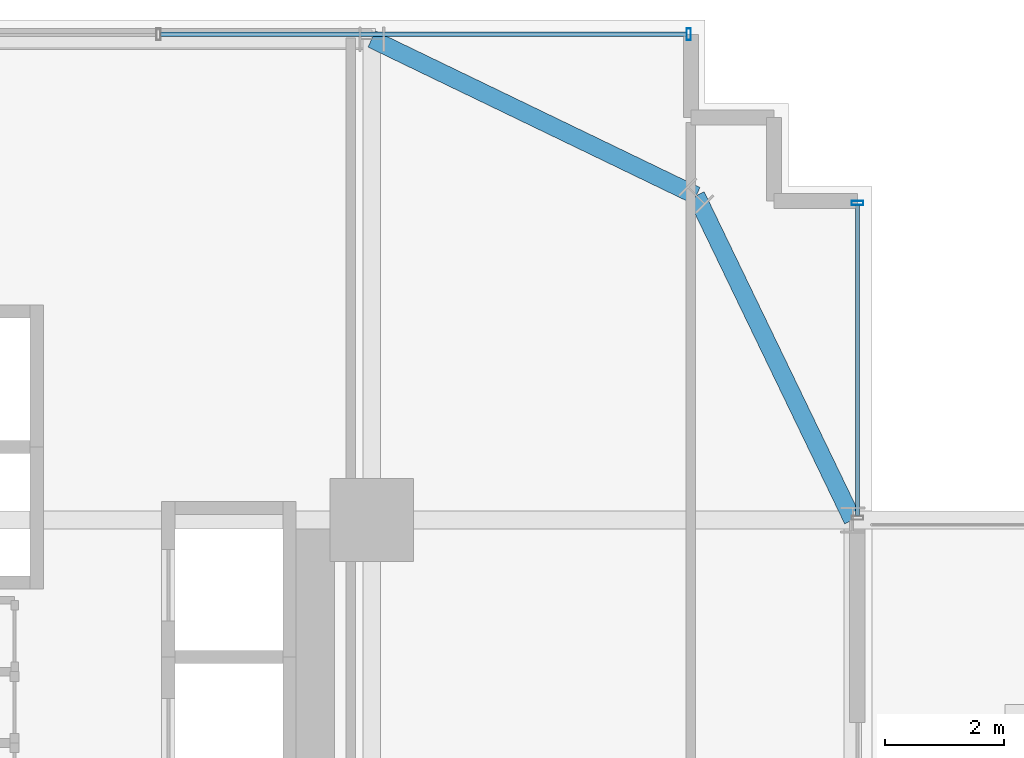
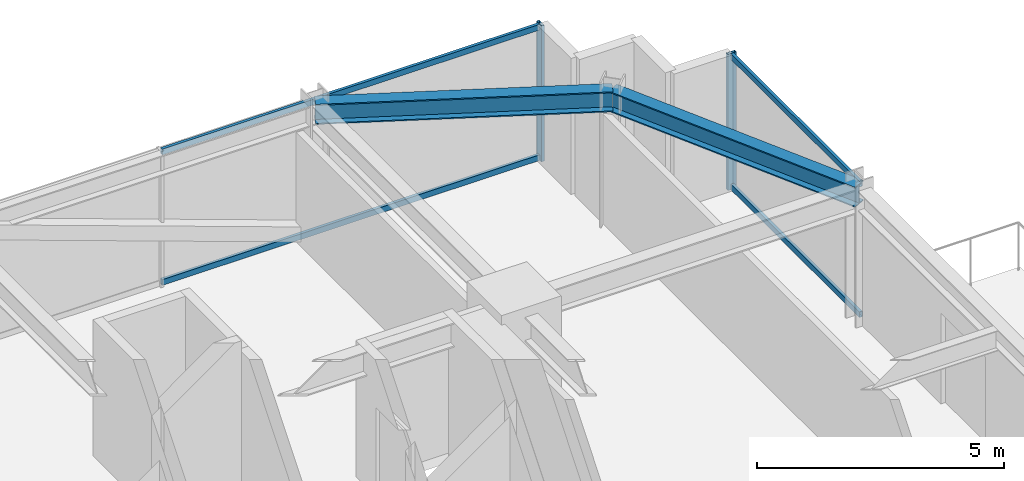
# One storey, part 27 of 35: 6 members, 2 beams, 2 elements without a shape of their own.
"""IFC4 building model written with IfcOpenShell, lengths in metres."""

from ifc_helpers import new_model, si_unit, direction, frame, origin, origin_2d, place, context, subcontext, project, spatial, hollow_rectangle, i_section, extrude, source, transform, mapped, material, material_profile, profile_set, type_object, element, aggregate, save


model = new_model("IFC4")

# Units and contexts
model_context = context("Model", 3, precision=1e-05, world=origin(), true_north=direction((0.0, 1.0)))
body_context = subcontext(model_context, "Body", "Model", "MODEL_VIEW")
ifc_project = project(units=[si_unit("LENGTHUNIT", "METRE"), si_unit("AREAUNIT", "SQUARE_METRE"), si_unit("VOLUMEUNIT", "CUBIC_METRE"), si_unit("PLANEANGLEUNIT", "RADIAN"), si_unit("MASSUNIT", "GRAM", prefix="KILO")], contexts=[model_context])

# Site, building, storey
site_placement = place(None, origin())
site = spatial("IfcSite", under=ifc_project, at=site_placement, CompositionType="ELEMENT")
building_placement = place(site_placement, origin())
building = spatial("IfcBuilding", under=site, at=building_placement, Name="Nahalor Promenade Grand Hotel", CompositionType="ELEMENT")
storey_placement = place(building_placement, frame((0.0, 0.0, 43.35009765625)))
storey = spatial("IfcBuildingStorey", under=building, at=storey_placement, Name="L09", CompositionType="ELEMENT", Elevation=43.35009765625)

# Beams
ifc_material_1 = material(Name="Steel S355JR", Category="steel")
ifc_material_profile_1 = material_profile(ifc_material_1, i_section(OverallWidth=0.3, OverallDepth=0.5, WebThickness=0.0145, FlangeThickness=0.028, at=origin_2d()), Name="HEB 500")
ifc_profile_set_1 = profile_set([ifc_material_profile_1], Name="Steel S355JR")
beam_type = type_object("IfcBeamType", Name="Beam-Spandrel-HEB500", PredefinedType="SPANDREL", material=ifc_profile_set_1)
shared_shape_1 = source(origin(), body_context, "Body", "SweptSolid", [
    extrude(i_section(OverallWidth=0.3, OverallDepth=0.5, WebThickness=0.0145, FlangeThickness=0.028, at=origin_2d()), origin(), (0.0, 0.0, 1.0), 6.051513671875),
])
for number, where, z_axis, x_axis, name in (
    (1, (17.0, 25.080078125, 3.119873046875), (0.900608818852, -0.434630596492, 0.0), (0.434630596492, 0.900608818852, 0.0), "BM-L09-SPC-NE-1"),
    (2, (22.449951171875, 22.449951171875, 3.119873046875), (0.434630596492, -0.900608818852, 0.0), (0.900608818852, 0.434630596492, 0.0), "BM-L09-SPC-NE-2"),
):
    element("IfcBeam", number, at=place(storey_placement, frame(where, z_axis=z_axis, x_axis=x_axis)), inside=storey, type_object=beam_type, Name=name, PredefinedType="SPANDREL", context=body_context, shape_type="MappedRepresentation", body=[
        mapped(shared_shape_1, transform((0.0, 0.0, 0.0), scale=1.0)),
    ])

# Curtain wall, member
ifc_material_2 = material(Name="Anodised Bronze Aluminium EN AW-6063 T6", Category="aluminium")
curtain_wall_type = type_object("IfcCurtainWallType", Name="CW3 Elliptical-Void Collar Unitised Curtain Wall", PredefinedType="USERDEFINED", material=ifc_material_2)
curtain_wall_1_placement = place(storey_placement, origin())
curtain_wall_1 = element("IfcCurtainWall", 3, at=curtain_wall_1_placement, inside=storey, type_object=curtain_wall_type, Name="L09 Curtain Wall CW-L09-N-1", ObjectType="UNITISED_CURTAIN_WALL", PredefinedType="USERDEFINED")
ifc_material_profile_2 = material_profile(ifc_material_2, hollow_rectangle(XDim=0.07, YDim=0.2, WallThickness=0.005, at=origin_2d()), Name="CWM 70x200x5")
ifc_profile_set_2 = profile_set([ifc_material_profile_2], Name="Anodised Bronze Aluminium EN AW-6063 T6")
member_type_1 = type_object("IfcMemberType", Name="CWM3 Void Collar Mullion 70x200", PredefinedType="MULLION", material=ifc_profile_set_2)
shared_shape_2 = source(origin(), body_context, "Body", "SweptSolid", [
    extrude(hollow_rectangle(XDim=0.07, YDim=0.2, WallThickness=0.005, at=origin_2d()), origin(), (0.0, 0.0, 1.0), 3.369873046875),
])
member_1_placement = place(storey_placement, frame((22.324951171875, 25.159912109375, 0.0), z_axis=(0.0, 0.0, 1.0), x_axis=(1.0, 0.0, 0.0)))
member_1 = element("IfcMember", 4, at=member_1_placement, type_object=member_type_1, Name="CW-L09-N-1 Mullion 5", PredefinedType="MULLION", context=body_context, shape_type="MappedRepresentation", body=[
    mapped(shared_shape_2, transform((0.0, 0.0, 0.0), scale=1.0)),
])

# Curtain wall, members
curtain_wall_2_placement = place(storey_placement, origin())
curtain_wall_2 = element("IfcCurtainWall", 5, at=curtain_wall_2_placement, inside=storey, type_object=curtain_wall_type, Name="L09 Curtain Wall CW-L09-E-4", ObjectType="UNITISED_CURTAIN_WALL", PredefinedType="USERDEFINED")
member_2_placement = place(storey_placement, frame((25.159912109375, 22.324951171875, 0.0), z_axis=(0.0, 0.0, 1.0), x_axis=(0.0, 1.0, 0.0)))
member_2 = element("IfcMember", 6, at=member_2_placement, type_object=member_type_1, Name="CW-L09-E-4 Mullion 1", PredefinedType="MULLION", context=body_context, shape_type="MappedRepresentation", body=[
    mapped(shared_shape_2, transform((0.0, 0.0, 0.0), scale=1.0)),
])
ifc_material_profile_3 = material_profile(ifc_material_2, hollow_rectangle(XDim=0.07, YDim=0.14, WallThickness=0.004, at=origin_2d()), Name="CWT 70x140x4")
ifc_profile_set_3 = profile_set([ifc_material_profile_3], Name="Anodised Bronze Aluminium EN AW-6063 T6")
member_type_2 = type_object("IfcMemberType", Name="CWT3 Void Collar Transom 70x140", PredefinedType="USERDEFINED", material=ifc_profile_set_3)
shared_shape_3 = source(origin(), body_context, "Body", "SweptSolid", [
    extrude(hollow_rectangle(XDim=0.07, YDim=0.14, WallThickness=0.004, at=origin_2d()), origin(), (0.0, 0.0, 1.0), 5.219970703125),
])
member_3_placement = place(storey_placement, frame((25.159912109375, 17.070068359375, 0.06982421875), z_axis=(0.0, 1.0, 0.0), x_axis=(-1.0, 0.0, 0.0)))
member_3 = element("IfcMember", 7, at=member_3_placement, type_object=member_type_2, Name="CW-L09-E-4 Transom 0-0", ObjectType="TRANSOM", PredefinedType="USERDEFINED", context=body_context, shape_type="MappedRepresentation", body=[
    mapped(shared_shape_3, transform((0.0, 0.0, 0.0), scale=1.0)),
])
member_4_placement = place(storey_placement, frame((25.159912109375, 17.070068359375, 3.2998046875), z_axis=(0.0, 1.0, 0.0), x_axis=(-1.0, 0.0, 0.0)))
member_4 = element("IfcMember", 8, at=member_4_placement, type_object=member_type_2, Name="CW-L09-E-4 Transom 0-1", ObjectType="TRANSOM", PredefinedType="USERDEFINED", context=body_context, shape_type="MappedRepresentation", body=[
    mapped(shared_shape_3, transform((0.0, 0.0, 0.0), scale=1.0)),
])
aggregate(curtain_wall_2, [member_2, member_3, member_4])

# Member
shared_shape_4 = source(origin(), body_context, "Body", "SweptSolid", [
    extrude(hollow_rectangle(XDim=0.07, YDim=0.14, WallThickness=0.004, at=origin_2d()), origin(), (0.0, 0.0, 1.0), 8.839111328125),
])
member_5_placement = place(storey_placement, frame((13.450927734375, 25.159912109375, 0.06982421875), z_axis=(1.0, 0.0, 0.0), x_axis=(0.0, 1.0, 0.0)))
member_5 = element("IfcMember", 9, at=member_5_placement, type_object=member_type_2, Name="CW-L09-N-1 Transom 4-0", ObjectType="TRANSOM", PredefinedType="USERDEFINED", context=body_context, shape_type="MappedRepresentation", body=[
    mapped(shared_shape_4, transform((0.0, 0.0, 0.0), scale=1.0)),
])

member_6_placement = place(storey_placement, frame((13.450927734375, 25.159912109375, 3.2998046875), z_axis=(1.0, 0.0, 0.0), x_axis=(0.0, 1.0, 0.0)))
member_6 = element("IfcMember", 10, at=member_6_placement, type_object=member_type_2, Name="CW-L09-N-1 Transom 4-1", ObjectType="TRANSOM", PredefinedType="USERDEFINED", context=body_context, shape_type="MappedRepresentation", body=[
    mapped(shared_shape_4, transform((0.0, 0.0, 0.0), scale=1.0)),
])

aggregate(curtain_wall_1, [member_1, member_5, member_6])

save(model, "model.ifc")
